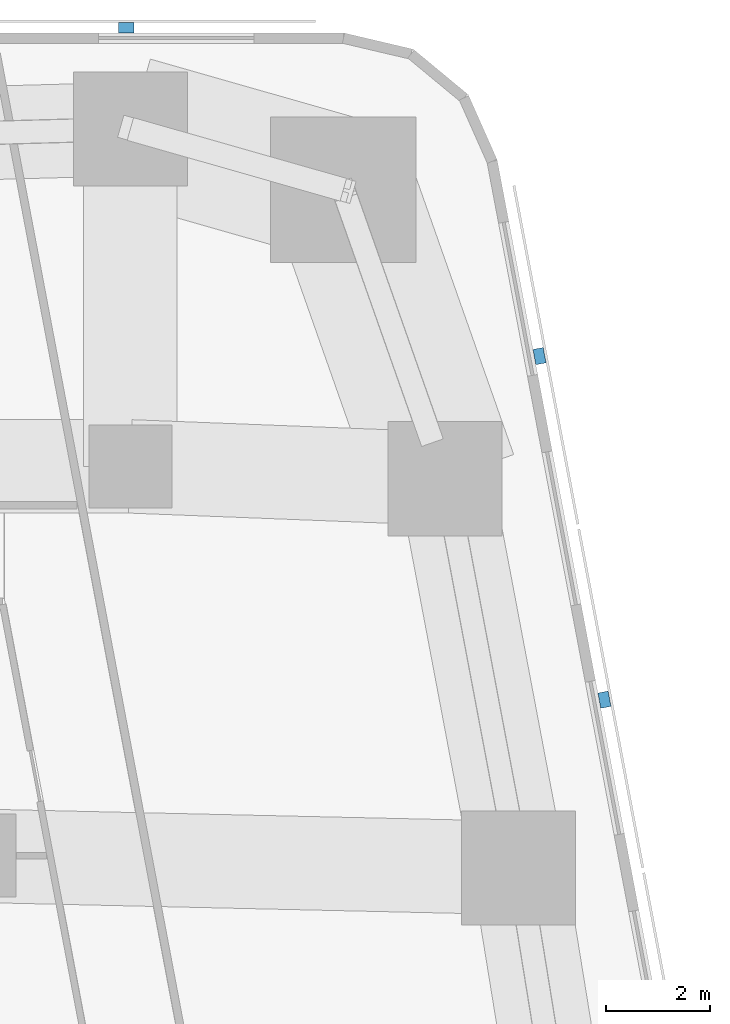
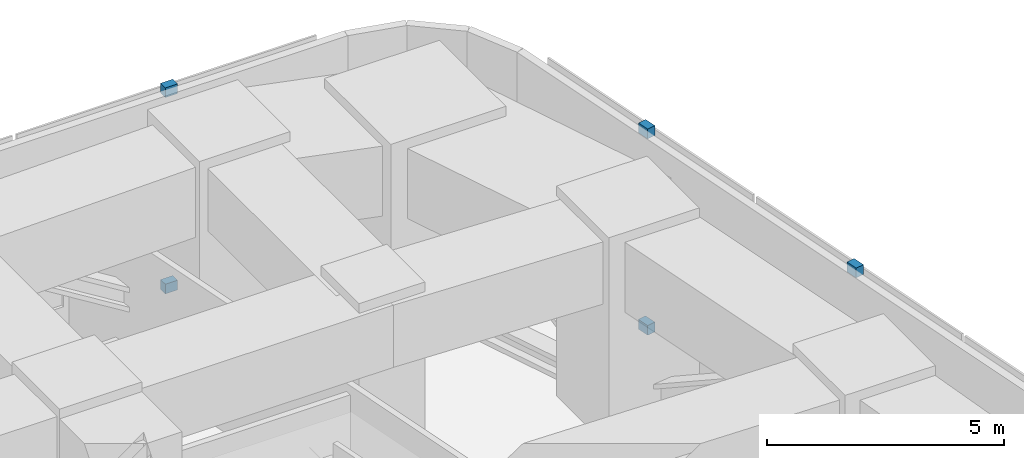
# One storey, part 8 of 10: 5 discrete accessories.
"""IFC4 building model written with IfcOpenShell, lengths in metres."""

from ifc_helpers import new_model, si_unit, direction, frame, origin, origin_2d, place, context, subcontext, project, spatial, rectangle, extrude, material, type_object, element, save


model = new_model("IFC4")

# Units and contexts
model_context = context("Model", 3, precision=1e-05, world=origin(), true_north=direction((0.0, 1.0)))
body_context = subcontext(model_context, "Body", "Model", "MODEL_VIEW")
ifc_project = project(units=[si_unit("LENGTHUNIT", "METRE"), si_unit("AREAUNIT", "SQUARE_METRE"), si_unit("VOLUMEUNIT", "CUBIC_METRE"), si_unit("PLANEANGLEUNIT", "RADIAN"), si_unit("MASSUNIT", "GRAM", prefix="KILO")], contexts=[model_context])

# Site, building, storey
site_placement = place(None, origin())
site = spatial("IfcSite", under=ifc_project, at=site_placement, CompositionType="ELEMENT")
building_placement = place(site_placement, origin())
building = spatial("IfcBuilding", under=site, at=building_placement, Name="Sheger Commons Tower", CompositionType="ELEMENT")
storey_placement = place(building_placement, frame((0.0, 0.0, 130.39990234375)))
storey = spatial("IfcBuildingStorey", under=building, at=storey_placement, Name="L33", CompositionType="ELEMENT", Elevation=130.39990234375)

# Discrete accessories
ifc_material = material(Name="Black painted steel bracket", Category="steel")
discrete_accessory_type = type_object("IfcDiscreteAccessoryType", Name="SCREEN BRACKET 300x200x250", PredefinedType="BRACKET", material=ifc_material)
for number, where, z_axis, x_axis, name in (
    (1, (45.133056640625, 33.0048828125, 4.9501953125), (0.0, 0.0, 1.0), (-0.185615165645, 0.982622516678, 0.0), "Solar screen head bracket"),
    (2, (43.882080078125, 39.6240234375, -0.099853515625), (0.0, 0.0, 1.0), (-0.185615165645, 0.982622516678, 0.0), "Solar screen foot bracket"),
    (3, (43.882080078125, 39.6240234375, 4.9501953125), (0.0, 0.0, 1.0), (-0.185615165645, 0.982622516678, 0.0), "Solar screen head bracket"),
    (4, (35.9208984375, 45.949951171875, -0.099853515625), (0.0, 0.0, 1.0), (-1.0, 0.0, 0.0), "Solar screen foot bracket"),
    (5, (35.9208984375, 45.949951171875, 4.9501953125), (0.0, 0.0, 1.0), (-1.0, 0.0, 0.0), "Solar screen head bracket"),
):
    element("IfcDiscreteAccessory", number, at=place(storey_placement, frame(where, z_axis=z_axis, x_axis=x_axis)), inside=storey, type_object=discrete_accessory_type, Name=name, PredefinedType="BRACKET", context=body_context, shape_type="SweptSolid", body=[
        extrude(rectangle(XDim=0.300048828125, YDim=0.199951171875, at=origin_2d()), origin(), (0.0, 0.0, 1.0), 0.25),
    ])

save(model, "model.ifc")
